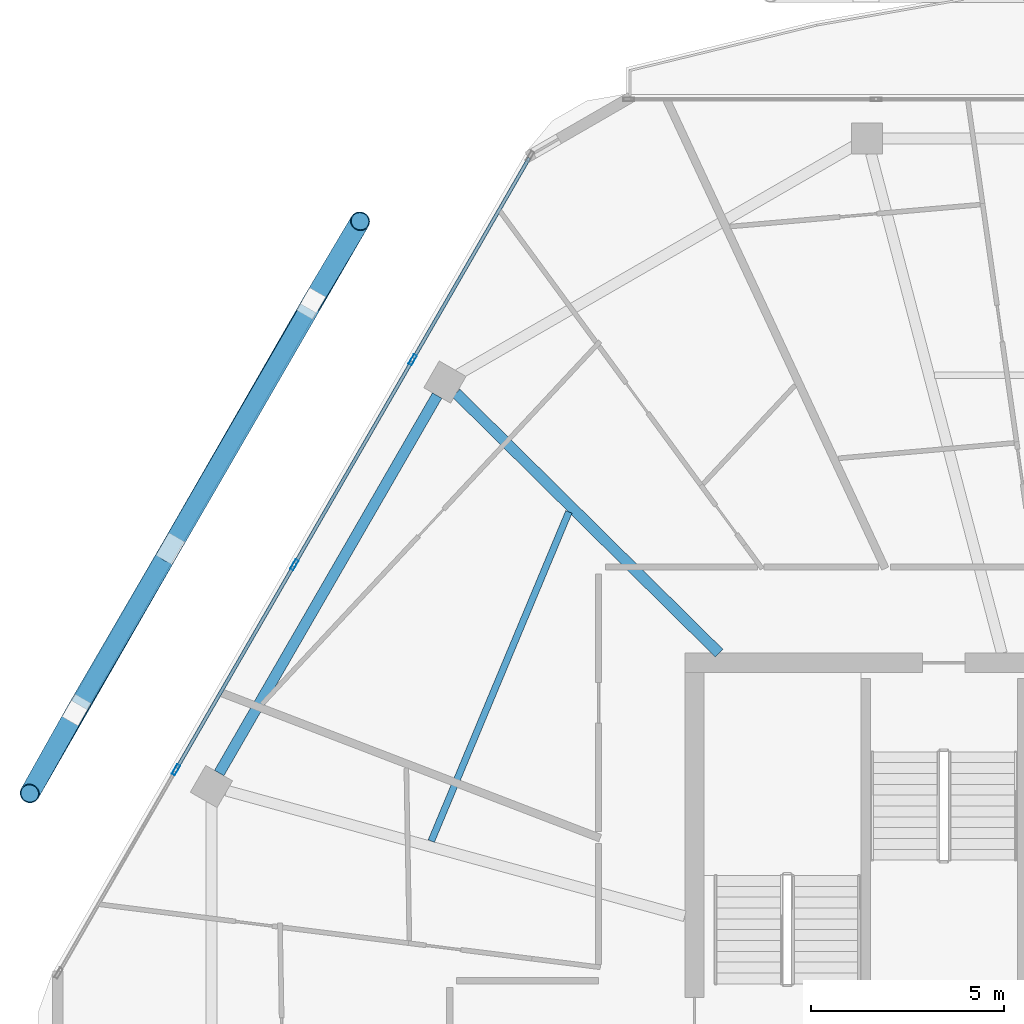
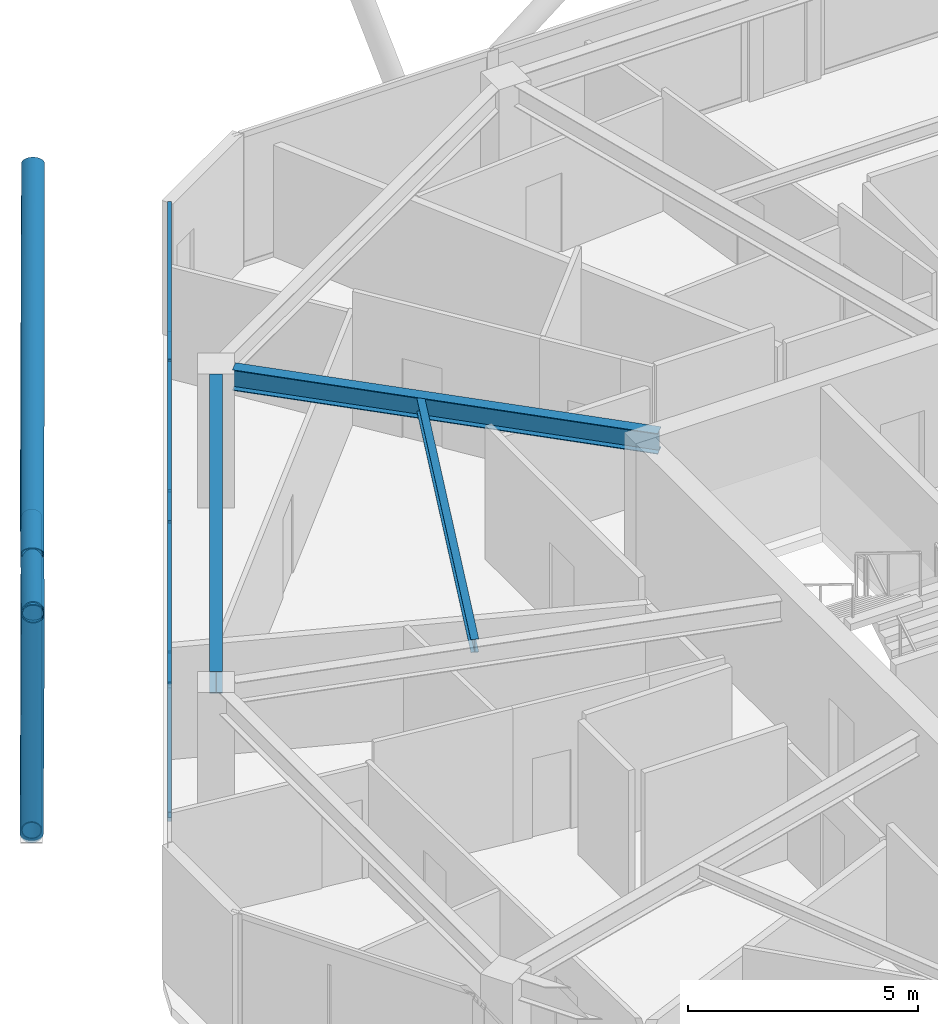
# One storey, part 10 of 23: 15 members, 3 beams, 1 element without a shape of its own.
"""IFC4 building model written with IfcOpenShell, lengths in metres."""

from ifc_helpers import new_model, si_unit, direction, frame, origin, origin_2d, place, context, subcontext, project, spatial, hollow_rectangle, hollow_circle, i_section, extrude, material, material_profile, profile_set, type_object, element, aggregate, save


model = new_model("IFC4")

# Units and contexts
model_context = context("Model", 3, precision=1e-05, world=origin(), true_north=direction((0.0, 1.0)))
body_context = subcontext(model_context, "Body", "Model", "MODEL_VIEW")
ifc_project = project(units=[si_unit("LENGTHUNIT", "METRE"), si_unit("AREAUNIT", "SQUARE_METRE"), si_unit("VOLUMEUNIT", "CUBIC_METRE"), si_unit("PLANEANGLEUNIT", "RADIAN"), si_unit("MASSUNIT", "GRAM", prefix="KILO")], contexts=[model_context])

# Site, building, storey
site_placement = place(None, origin())
site = spatial("IfcSite", under=ifc_project, at=site_placement, CompositionType="ELEMENT")
building_placement = place(site_placement, origin())
building = spatial("IfcBuilding", under=site, at=building_placement, Name="Zuhravey Tower", CompositionType="ELEMENT")
storey_placement = place(building_placement, frame((0.0, 0.0, 323.39990234375)))
storey = spatial("IfcBuildingStorey", under=building, at=storey_placement, Name="L82", CompositionType="ELEMENT", Elevation=323.39990234375)

# Curtain wall, members
ifc_material_1 = material(Name="Thermally broken anodised aluminium", Category="aluminium")
curtain_wall_type = type_object("IfcCurtainWallType", Name="Zone 3-4 High-Rise Curtain Wall CW4", PredefinedType="NOTDEFINED", material=ifc_material_1)
curtain_wall_placement = place(storey_placement, origin())
curtain_wall = element("IfcCurtainWall", 1, at=curtain_wall_placement, inside=storey, type_object=curtain_wall_type, Name="L82 CW4 CW-L82-F3-1", PredefinedType="NOTDEFINED")
ifc_material_2 = material(Name="Anodised aluminium", Category="aluminium")
ifc_material_profile_1 = material_profile(ifc_material_2, hollow_rectangle(XDim=0.090087890625, YDim=0.284912109375, WallThickness=0.0048828125, at=origin_2d()), Name="ALU-RHS-90x285x5")
ifc_profile_set_1 = profile_set([ifc_material_profile_1], Name="Anodised aluminium")
member_type_1 = type_object("IfcMemberType", Name="Curtain-Wall Mullion 90x180", PredefinedType="MULLION", material=ifc_profile_set_1)
member_1_placement = place(storey_placement, frame((12.09130859375, 38.7373046875, 0.0), z_axis=(0.0, 0.0, 1.0), x_axis=(-0.866025511541, 0.49999981336, 0.0)))
member_1 = element("IfcMember", 2, at=member_1_placement, type_object=member_type_1, Name="CW4 mullion 2", PredefinedType="MULLION", context=body_context, shape_type="SweptSolid", body=[
    extrude(hollow_rectangle(XDim=0.090087890625, YDim=0.284912109375, WallThickness=0.0048828125, at=origin_2d()), origin(), (0.0, 0.0, 1.0), 3.550048828125),
])
member_2_placement = place(storey_placement, frame((15.1513671875, 44.037109375, 0.0), z_axis=(0.0, 0.0, 1.0), x_axis=(-0.866025511541, 0.49999981336, 0.0)))
member_2 = element("IfcMember", 3, at=member_2_placement, type_object=member_type_1, Name="CW4 mullion 3", PredefinedType="MULLION", context=body_context, shape_type="SweptSolid", body=[
    extrude(hollow_rectangle(XDim=0.090087890625, YDim=0.284912109375, WallThickness=0.0048828125, at=origin_2d()), origin(), (0.0, 0.0, 1.0), 3.550048828125),
])
member_3_placement = place(storey_placement, frame((18.211181640625, 49.3369140625, 0.0), z_axis=(0.0, 0.0, 1.0), x_axis=(-0.866025511541, 0.49999981336, 0.0)))
member_3 = element("IfcMember", 4, at=member_3_placement, type_object=member_type_1, Name="CW4 mullion 4", PredefinedType="MULLION", context=body_context, shape_type="SweptSolid", body=[
    extrude(hollow_rectangle(XDim=0.090087890625, YDim=0.284912109375, WallThickness=0.0048828125, at=origin_2d()), origin(), (0.0, 0.0, 1.0), 3.550048828125),
])
ifc_material_profile_2 = material_profile(ifc_material_2, hollow_rectangle(XDim=0.090087890625, YDim=0.14990234375, WallThickness=0.0048828125, at=origin_2d()), Name="ALU-RHS-90x150x5")
ifc_profile_set_2 = profile_set([ifc_material_profile_2], Name="Anodised aluminium")
member_type_2 = type_object("IfcMemberType", Name="Curtain-Wall Transom 90x150", PredefinedType="USERDEFINED", material=ifc_profile_set_2)
member_4_placement = place(storey_placement, frame((12.114013671875, 38.7763671875, 0.045166015625), z_axis=(0.499988837749, 0.866031848217, 0.0), x_axis=(-0.866031848217, 0.499988837749, 0.0)))
member_4 = element("IfcMember", 5, at=member_4_placement, type_object=member_type_2, Name="CW4 transom 2.1", ObjectType="TRANSOM", PredefinedType="USERDEFINED", context=body_context, shape_type="SweptSolid", body=[
    extrude(hollow_rectangle(XDim=0.090087890625, YDim=0.14990234375, WallThickness=0.0048828125, at=origin_2d()), origin(), (0.0, 0.0, 1.0), 6.029541015625),
])
member_5_placement = place(storey_placement, frame((12.114013671875, 38.7763671875, 3.505126953125), z_axis=(0.499988837749, 0.866031848217, 0.0), x_axis=(-0.866031848217, 0.499988837749, 0.0)))
member_5 = element("IfcMember", 6, at=member_5_placement, type_object=member_type_2, Name="CW4 transom 2.2", ObjectType="TRANSOM", PredefinedType="USERDEFINED", context=body_context, shape_type="SweptSolid", body=[
    extrude(hollow_rectangle(XDim=0.090087890625, YDim=0.14990234375, WallThickness=0.0048828125, at=origin_2d()), origin(), (0.0, 0.0, 1.0), 6.029541015625),
])
member_6_placement = place(storey_placement, frame((15.173828125, 44.075927734375, 0.045166015625), z_axis=(0.499971305196, 0.866041970103, 0.0), x_axis=(-0.866041970103, 0.499971305196, 0.0)))
member_6 = element("IfcMember", 7, at=member_6_placement, type_object=member_type_2, Name="CW4 transom 3.1", ObjectType="TRANSOM", PredefinedType="USERDEFINED", context=body_context, shape_type="SweptSolid", body=[
    extrude(hollow_rectangle(XDim=0.090087890625, YDim=0.14990234375, WallThickness=0.0048828125, at=origin_2d()), origin(), (0.0, 0.0, 1.0), 6.029541015625),
])
member_7_placement = place(storey_placement, frame((15.173828125, 44.075927734375, 3.505126953125), z_axis=(0.499971305196, 0.866041970103, 0.0), x_axis=(-0.866041970103, 0.499971305196, 0.0)))
member_7 = element("IfcMember", 8, at=member_7_placement, type_object=member_type_2, Name="CW4 transom 3.2", ObjectType="TRANSOM", PredefinedType="USERDEFINED", context=body_context, shape_type="SweptSolid", body=[
    extrude(hollow_rectangle(XDim=0.090087890625, YDim=0.14990234375, WallThickness=0.0048828125, at=origin_2d()), origin(), (0.0, 0.0, 1.0), 6.029541015625),
])
member_8_placement = place(storey_placement, frame((18.233642578125, 49.375732421875, 0.045166015625), z_axis=(0.499982594807, 0.866035452444, 0.0), x_axis=(-0.866035452444, 0.499982594807, 0.0)))
member_8 = element("IfcMember", 9, at=member_8_placement, type_object=member_type_2, Name="CW4 transom 4.1", ObjectType="TRANSOM", PredefinedType="USERDEFINED", context=body_context, shape_type="SweptSolid", body=[
    extrude(hollow_rectangle(XDim=0.090087890625, YDim=0.14990234375, WallThickness=0.0048828125, at=origin_2d()), origin(), (0.0, 0.0, 1.0), 5.984619140625),
])
member_9_placement = place(storey_placement, frame((18.233642578125, 49.375732421875, 3.505126953125), z_axis=(0.499982594807, 0.866035452444, 0.0), x_axis=(-0.866035452444, 0.499982594807, 0.0)))
member_9 = element("IfcMember", 10, at=member_9_placement, type_object=member_type_2, Name="CW4 transom 4.2", ObjectType="TRANSOM", PredefinedType="USERDEFINED", context=body_context, shape_type="SweptSolid", body=[
    extrude(hollow_rectangle(XDim=0.090087890625, YDim=0.14990234375, WallThickness=0.0048828125, at=origin_2d()), origin(), (0.0, 0.0, 1.0), 5.984619140625),
])
aggregate(curtain_wall, [member_1, member_2, member_3, member_4, member_5, member_6, member_7, member_8, member_9])

# Members
ifc_material_3 = material(Name="Steel SM355", Category="steel")
ifc_material_profile_3 = material_profile(ifc_material_3, hollow_circle(Radius=0.228515625, WallThickness=0.02197265625, at=origin_2d()), Name="CHS-457.2x22")
ifc_profile_set_3 = profile_set([ifc_material_profile_3], Name="Steel SM355")
member_type_3 = type_object("IfcMemberType", Name="Exoskeleton Ring Tie CHS457x22", PredefinedType="CHORD", material=ifc_profile_set_3)
member_10_placement = place(storey_placement, frame((15.516845703125, 50.67041015625, -0.4638671875), z_axis=(-0.499988670204, -0.866031944946, 0.0), x_axis=(0.866031944946, -0.499988670204, 0.0)))
element("IfcMember", 11, at=member_10_placement, inside=storey, type_object=member_type_3, Name="L82 Exoskeleton Face 3 Tie EXR1", PredefinedType="CHORD", context=body_context, shape_type="SweptSolid", body=[
    extrude(hollow_circle(Radius=0.228515625, WallThickness=0.02197265625, at=origin_2d()), origin(), (0.0, 0.0, 1.0), 11.854736328125),
])
ifc_material_profile_4 = material_profile(ifc_material_3, hollow_circle(Radius=0.25390625, WallThickness=0.02490234375, at=origin_2d()), Name="CHS-508.0x25")
ifc_profile_set_4 = profile_set([ifc_material_profile_4], Name="Steel SM355")
member_type_4 = type_object("IfcMemberType", Name="Exoskeleton Zone 4 Diagrid CHS508x25", PredefinedType="BRACE", material=ifc_profile_set_4)
member_11_placement = place(storey_placement, frame((15.589599609375, 50.796142578125, -0.447998046875), z_axis=(0.158476866011, 0.26696973597, 0.950585210812), x_axis=(-0.859906229108, 0.510452032165, 0.0)))
element("IfcMember", 12, at=member_11_placement, inside=storey, type_object=member_type_4, Name="L82 Face 3 Diagrid Brace 1", PredefinedType="BRACE", context=body_context, shape_type="SweptSolid", body=[
    extrude(hollow_circle(Radius=0.25390625, WallThickness=0.02490234375, at=origin_2d()), origin(), (0.0, 0.0, 1.0), 7.96142578125),
])
member_12_placement = place(storey_placement, frame((15.571533203125, 50.764892578125, -0.447998046875), z_axis=(-0.442036872245, -0.769274820729, 0.461323805768), x_axis=(0.867050506959, -0.498220250875, 0.0)))
element("IfcMember", 13, at=member_12_placement, inside=storey, type_object=member_type_4, Name="L82 Face 3 Diagrid Brace 2", PredefinedType="BRACE", context=body_context, shape_type="SweptSolid", body=[
    extrude(hollow_circle(Radius=0.25390625, WallThickness=0.02490234375, at=origin_2d()), origin(), (0.0, 0.0, 1.0), 16.4052734375),
])
member_13_placement = place(storey_placement, frame((9.516845703125, 40.27783203125, -0.447998046875), z_axis=(-0.151976390211, -0.270711778205, 0.95058840197), x_axis=(0.871986744231, -0.489529486227, 0.0)))
element("IfcMember", 14, at=member_13_placement, inside=storey, type_object=member_type_4, Name="L82 Face 3 Diagrid Brace 4", PredefinedType="BRACE", context=body_context, shape_type="SweptSolid", body=[
    extrude(hollow_circle(Radius=0.25390625, WallThickness=0.02490234375, at=origin_2d()), origin(), (0.0, 0.0, 1.0), 7.96142578125),
])
member_14_placement = place(storey_placement, frame((9.533203125, 40.30615234375, -0.4423828125), z_axis=(0.394979807507, 0.6792137219, 0.618594917248), x_axis=(-0.864458456104, 0.502704264623, 0.0)))
element("IfcMember", 15, at=member_14_placement, inside=storey, type_object=member_type_4, Name="L82 Face 3 Split Diagrid Brace 3A", PredefinedType="BRACE", context=body_context, shape_type="SweptSolid", body=[
    extrude(hollow_circle(Radius=0.25390625, WallThickness=0.02490234375, at=origin_2d()), origin(), (0.0, 0.0, 1.0), 5.864013671875),
])
member_15_placement = place(storey_placement, frame((12.059814453125, 44.651611328125, 3.42431640625), z_axis=(0.467342528939, 0.806637503448, 0.36183822169), x_axis=(-0.86526722954, 0.501310903017, 0.0)))
element("IfcMember", 16, at=member_15_placement, inside=storey, type_object=member_type_4, Name="L82 Face 3 Split Diagrid Brace 3B", PredefinedType="BRACE", context=body_context, shape_type="SweptSolid", body=[
    extrude(hollow_circle(Radius=0.25390625, WallThickness=0.02490234375, at=origin_2d()), origin(), (0.0, 0.0, 1.0), 10.223388671875),
])

# Beams
ifc_material_profile_5 = material_profile(ifc_material_3, i_section(OverallWidth=0.280029296875, OverallDepth=0.580078125, WebThickness=0.011962890625, FlangeThickness=0.01904296875, at=origin_2d()), Name="H-580x280x12x19")
ifc_profile_set_5 = profile_set([ifc_material_profile_5], Name="Steel SM355")
beam_type_1 = type_object("IfcBeamType", Name="Perimeter Ring Beam H580x280", PredefinedType="BEAM", material=ifc_profile_set_5)
beam_1_placement = place(storey_placement, frame((18.84375, 48.41259765625, 3.260009765625), z_axis=(-0.500006198144, -0.866021825255, 0.0), x_axis=(0.866021825255, -0.500006198144, 0.0)))
element("IfcBeam", 17, at=beam_1_placement, inside=storey, type_object=beam_type_1, Name="L82 PB4 BM-L82-PB-05", PredefinedType="BEAM", context=body_context, shape_type="SweptSolid", body=[
    extrude(i_section(OverallWidth=0.280029296875, OverallDepth=0.580078125, WebThickness=0.011962890625, FlangeThickness=0.01904296875, at=origin_2d()), origin(), (0.0, 0.0, 1.0), 11.271240234375),
])
ifc_material_profile_6 = material_profile(ifc_material_3, i_section(OverallWidth=0.280029296875, OverallDepth=0.550048828125, WebThickness=0.010986328125, FlangeThickness=0.01806640625, at=origin_2d()), Name="H-550x280x11x18")
ifc_profile_set_6 = profile_set([ifc_material_profile_6], Name="Steel SM355")
beam_type_2 = type_object("IfcBeamType", Name="Radial Primary Girder H550x280", PredefinedType="BEAM", material=ifc_profile_set_6)
beam_2_placement = place(storey_placement, frame((26.134765625, 41.7529296875, 3.275146484375), z_axis=(-0.711153035666, 0.703037239314, 0.0), x_axis=(-0.703037239314, -0.711153035666, 0.0)))
element("IfcBeam", 18, at=beam_2_placement, inside=storey, type_object=beam_type_2, Name="L82 RG4 BM-L82-RAD-05", PredefinedType="BEAM", context=body_context, shape_type="SweptSolid", body=[
    extrude(i_section(OverallWidth=0.280029296875, OverallDepth=0.550048828125, WebThickness=0.010986328125, FlangeThickness=0.01806640625, at=origin_2d()), origin(), (0.0, 0.0, 1.0), 9.566162109375),
])
ifc_material_profile_7 = material_profile(ifc_material_3, i_section(OverallWidth=0.175048828125, OverallDepth=0.35009765625, WebThickness=0.007080078125, FlangeThickness=0.010986328125, at=origin_2d()), Name="H-350x175x7x11")
ifc_profile_set_7 = profile_set([ifc_material_profile_7], Name="Steel SM355")
beam_type_3 = type_object("IfcBeamType", Name="Secondary Floor Joist H350x175", PredefinedType="JOIST", material=ifc_profile_set_7)
beam_3_placement = place(storey_placement, frame((22.2509765625, 45.40478515625, 3.375), z_axis=(-0.385657891576, -0.922641853953, 0.0), x_axis=(0.922641853953, -0.385657891576, 0.0)))
element("IfcBeam", 19, at=beam_3_placement, inside=storey, type_object=beam_type_3, Name="L82 SJ3 BM-L82-SJ-05-1", PredefinedType="JOIST", context=body_context, shape_type="SweptSolid", body=[
    extrude(i_section(OverallWidth=0.175048828125, OverallDepth=0.35009765625, WebThickness=0.007080078125, FlangeThickness=0.010986328125, at=origin_2d()), origin(), (0.0, 0.0, 1.0), 9.226806640625),
])

save(model, "model.ifc")
